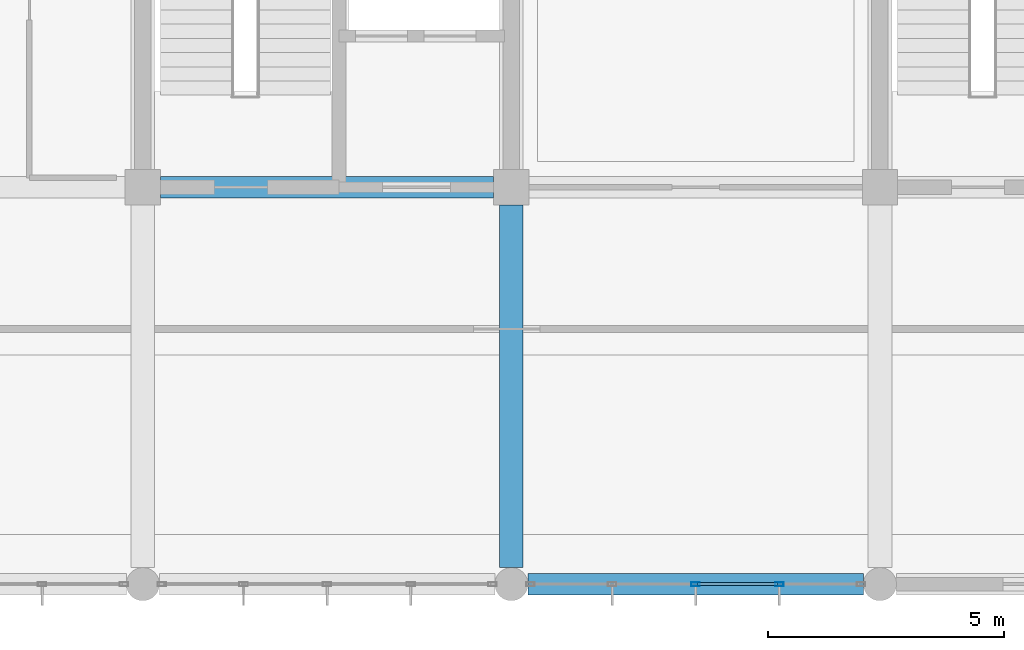
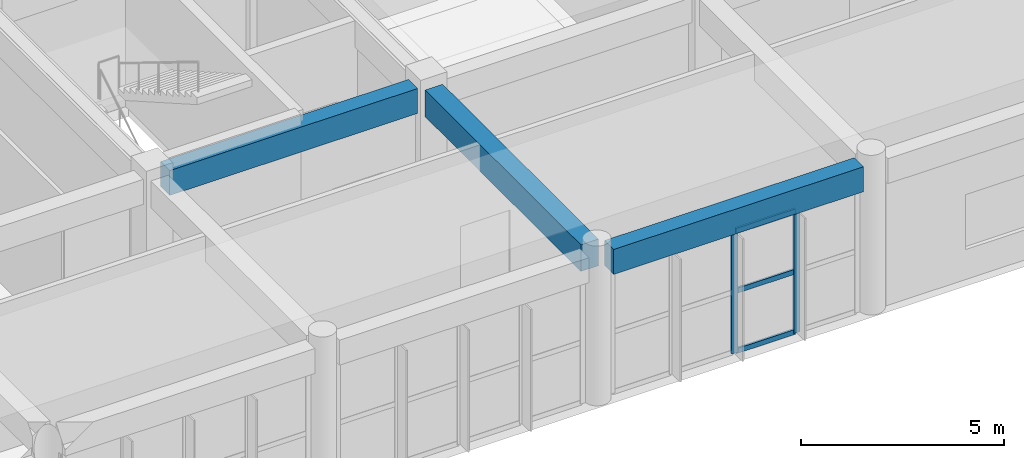
# One storey, part 29 of 175: 5 members, 3 beams, 1 element without a shape of its own.
"""IFC4 building model written with IfcOpenShell, lengths in metres."""

from ifc_helpers import new_model, si_unit, direction, frame, origin, origin_2d, place, context, subcontext, project, spatial, rectangle, hollow_rectangle, extrude, material, layer, layer_set, material_profile, profile_set, type_object, element, aggregate, save


model = new_model("IFC4")

# Units and contexts
model_context = context("Model", 3, precision=1e-05, world=origin(), true_north=direction((0.0, 1.0)))
body_context = subcontext(model_context, "Body", "Model", "MODEL_VIEW")
ifc_project = project(units=[si_unit("LENGTHUNIT", "METRE"), si_unit("AREAUNIT", "SQUARE_METRE"), si_unit("VOLUMEUNIT", "CUBIC_METRE"), si_unit("PLANEANGLEUNIT", "RADIAN"), si_unit("MASSUNIT", "GRAM", prefix="KILO")], contexts=[model_context])

# Site, building, storey
site_placement = place(None, origin())
site = spatial("IfcSite", under=ifc_project, at=site_placement, CompositionType="ELEMENT")
building_placement = place(site_placement, origin())
building = spatial("IfcBuilding", under=site, at=building_placement, Name="Zizhar Promenade General Hospital", CompositionType="ELEMENT")
storey_placement = place(building_placement, frame((0.0, 0.0, 4.800048828125)))
storey = spatial("IfcBuildingStorey", under=building, at=storey_placement, Name="L01", CompositionType="ELEMENT", Elevation=4.800048828125)

# Beams
ifc_material_1 = material(Name="Concrete C35/45", Category="concrete")
ifc_material_profile_1 = material_profile(ifc_material_1, rectangle(XDim=0.449951171875, YDim=0.75, at=origin_2d()))
ifc_profile_set_1 = profile_set([ifc_material_profile_1], Name="Concrete C35/45")
beam_type_1 = type_object("IfcBeamType", Name="BM-RC-450x750", PredefinedType="BEAM", material=ifc_profile_set_1)
beam_1_placement = place(storey_placement, frame((62.77490234375, 8.39990234375, 4.094970703125), z_axis=(1.0, 0.0, 0.0), x_axis=(0.0, 1.0, 0.0)))
element("IfcBeam", 1, at=beam_1_placement, inside=storey, type_object=beam_type_1, Name="Grid Beam X L01 (8-1)", PredefinedType="BEAM", context=body_context, shape_type="SweptSolid", body=[
    extrude(rectangle(XDim=0.449951171875, YDim=0.75, at=origin_2d()), origin(), (0.0, 0.0, 1.0), 7.050048828125),
])
beam_2_placement = place(storey_placement, frame((70.550048828125, 0.0, 4.094970703125), z_axis=(1.0, 0.0, 0.0), x_axis=(0.0, 1.0, 0.0)))
element("IfcBeam", 2, at=beam_2_placement, inside=storey, type_object=beam_type_1, Name="Grid Beam X L01 (9-0)", PredefinedType="BEAM", context=body_context, shape_type="SweptSolid", body=[
    extrude(rectangle(XDim=0.449951171875, YDim=0.75, at=origin_2d()), origin(), (0.0, 0.0, 1.0), 7.099853515625),
])
ifc_material_2 = material(Name="Concrete C35/45", Category="concrete")
ifc_material_profile_2 = material_profile(ifc_material_2, rectangle(XDim=0.5, YDim=0.800048828125, at=origin_2d()))
ifc_profile_set_2 = profile_set([ifc_material_profile_2], Name="Concrete C35/45")
beam_type_2 = type_object("IfcBeamType", Name="BM-RC-500x800", PredefinedType="BEAM", material=ifc_profile_set_2)
beam_3_placement = place(storey_placement, frame((70.199951171875, 0.35009765625, 4.070068359375), z_axis=(0.0, 1.0, 0.0), x_axis=(-1.0, 0.0, 0.0)))
element("IfcBeam", 3, at=beam_3_placement, inside=storey, type_object=beam_type_2, Name="Grid Beam Y L01 (9-0)", PredefinedType="BEAM", context=body_context, shape_type="SweptSolid", body=[
    extrude(rectangle(XDim=0.5, YDim=0.800048828125, at=origin_2d()), origin(), (0.0, 0.0, 1.0), 7.6748046875),
])

# Curtain wall, members
ifc_material_3 = material(Name="Anodised aluminium 6063-T6 and low-E glass", Category="aluminium")
ifc_layer = layer(ifc_material_3, 0.159912109375)
ifc_layer_set = layer_set([ifc_layer], Name="Anodised aluminium 6063-T6 and low-E glass")
curtain_wall_type = type_object("IfcCurtainWallType", Name="CW-DT-MOD1", PredefinedType="NOTDEFINED", material=ifc_layer_set)
curtain_wall_placement = place(storey_placement, origin())
curtain_wall = element("IfcCurtainWall", 4, at=curtain_wall_placement, inside=storey, type_object=curtain_wall_type, Name="Riverfront Clinical Curtain Wall L01-8", PredefinedType="NOTDEFINED")
ifc_material_4 = material(Name="Anodised aluminium 6063-T6", Category="aluminium")
ifc_material_profile_3 = material_profile(ifc_material_4, hollow_rectangle(XDim=0.080078125, YDim=0.179931640625, WallThickness=0.0048828125, at=origin_2d()))
ifc_profile_set_3 = profile_set([ifc_material_profile_3], Name="Anodised aluminium 6063-T6")
member_type_1 = type_object("IfcMemberType", Name="CWM-ALU-180x80", PredefinedType="MULLION", material=ifc_profile_set_3)
member_1_placement = place(storey_placement, frame((75.8701171875, 0.0, 0.0), z_axis=(0.0, 0.0, 1.0), x_axis=(0.0, -1.0, 0.0)))
member_1 = element("IfcMember", 5, at=member_1_placement, type_object=member_type_1, Name="CW-07 mullion 2", PredefinedType="MULLION", context=body_context, shape_type="SweptSolid", body=[
    extrude(hollow_rectangle(XDim=0.080078125, YDim=0.179931640625, WallThickness=0.0048828125, at=origin_2d()), origin(), (0.0, 0.0, 1.0), 3.679931640625),
])
member_2_placement = place(storey_placement, frame((74.10009765625, 0.0, 0.0), z_axis=(0.0, 0.0, 1.0), x_axis=(0.0, -1.0, 0.0)))
member_2 = element("IfcMember", 6, at=member_2_placement, type_object=member_type_1, Name="CW-07 mullion 3", PredefinedType="MULLION", context=body_context, shape_type="SweptSolid", body=[
    extrude(hollow_rectangle(XDim=0.080078125, YDim=0.179931640625, WallThickness=0.0048828125, at=origin_2d()), origin(), (0.0, 0.0, 1.0), 3.679931640625),
])
ifc_material_5 = material(Name="Anodised aluminium 6063-T6", Category="aluminium")
ifc_material_profile_4 = material_profile(ifc_material_5, hollow_rectangle(XDim=0.06005859375, YDim=0.14990234375, WallThickness=0.00390625, at=origin_2d()))
ifc_profile_set_4 = profile_set([ifc_material_profile_4], Name="Anodised aluminium 6063-T6")
member_type_2 = type_object("IfcMemberType", Name="CWT-ALU-150x60", PredefinedType="USERDEFINED", material=ifc_profile_set_4)
member_3_placement = place(storey_placement, frame((75.830078125, 0.0, 0.030029296875), z_axis=(-1.0, 0.0, 0.0), x_axis=(0.0, -1.0, 0.0)))
member_3 = element("IfcMember", 7, at=member_3_placement, type_object=member_type_2, Name="CW-07 transom 2.1", ObjectType="TRANSOM", PredefinedType="USERDEFINED", context=body_context, shape_type="SweptSolid", body=[
    extrude(hollow_rectangle(XDim=0.06005859375, YDim=0.14990234375, WallThickness=0.00390625, at=origin_2d()), origin(), (0.0, 0.0, 1.0), 1.690185546875),
])
member_4_placement = place(storey_placement, frame((75.830078125, 0.0, 1.83984375), z_axis=(-1.0, 0.0, 0.0), x_axis=(0.0, -1.0, 0.0)))
member_4 = element("IfcMember", 8, at=member_4_placement, type_object=member_type_2, Name="CW-07 transom 2.2", ObjectType="TRANSOM", PredefinedType="USERDEFINED", context=body_context, shape_type="SweptSolid", body=[
    extrude(hollow_rectangle(XDim=0.06005859375, YDim=0.14990234375, WallThickness=0.00390625, at=origin_2d()), origin(), (0.0, 0.0, 1.0), 1.690185546875),
])
member_5_placement = place(storey_placement, frame((75.830078125, 0.0, 3.64990234375), z_axis=(-1.0, 0.0, 0.0), x_axis=(0.0, -1.0, 0.0)))
member_5 = element("IfcMember", 9, at=member_5_placement, type_object=member_type_2, Name="CW-07 transom 2.3", ObjectType="TRANSOM", PredefinedType="USERDEFINED", context=body_context, shape_type="SweptSolid", body=[
    extrude(hollow_rectangle(XDim=0.06005859375, YDim=0.14990234375, WallThickness=0.00390625, at=origin_2d()), origin(), (0.0, 0.0, 1.0), 1.690185546875),
])
aggregate(curtain_wall, [member_1, member_2, member_3, member_4, member_5])

save(model, "model.ifc")
